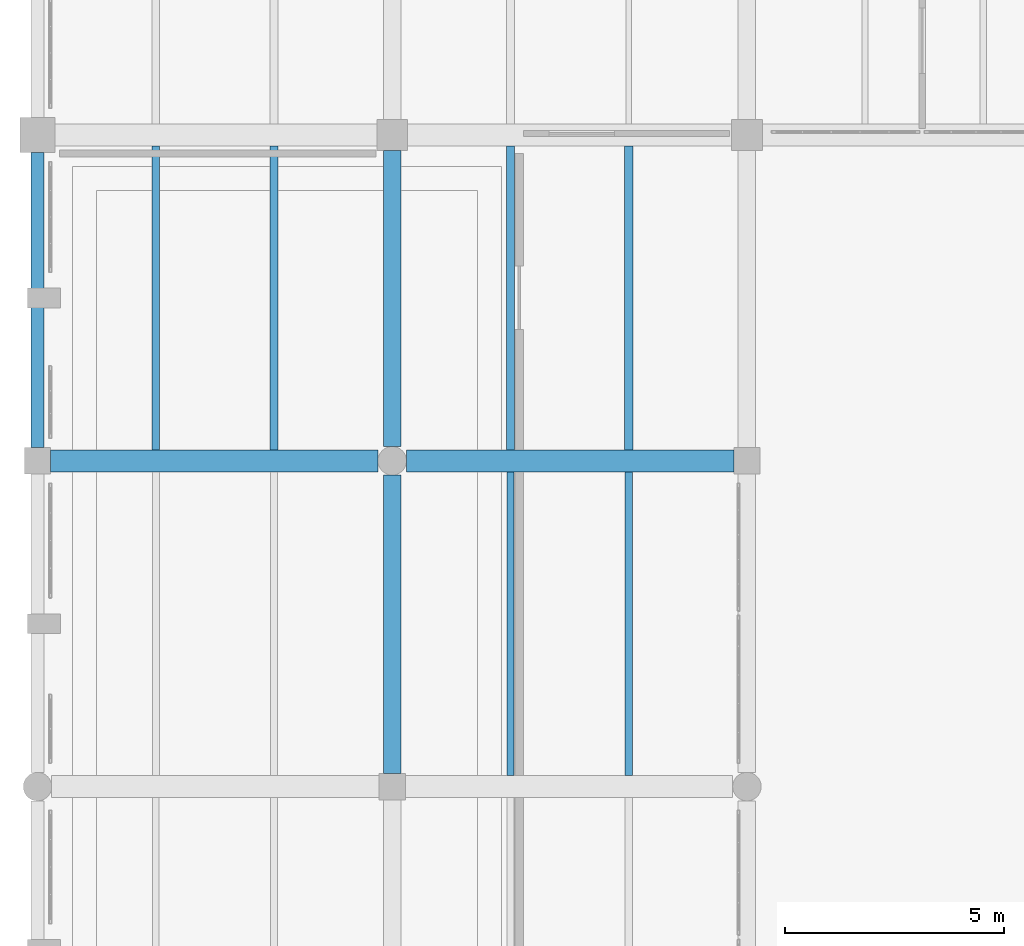
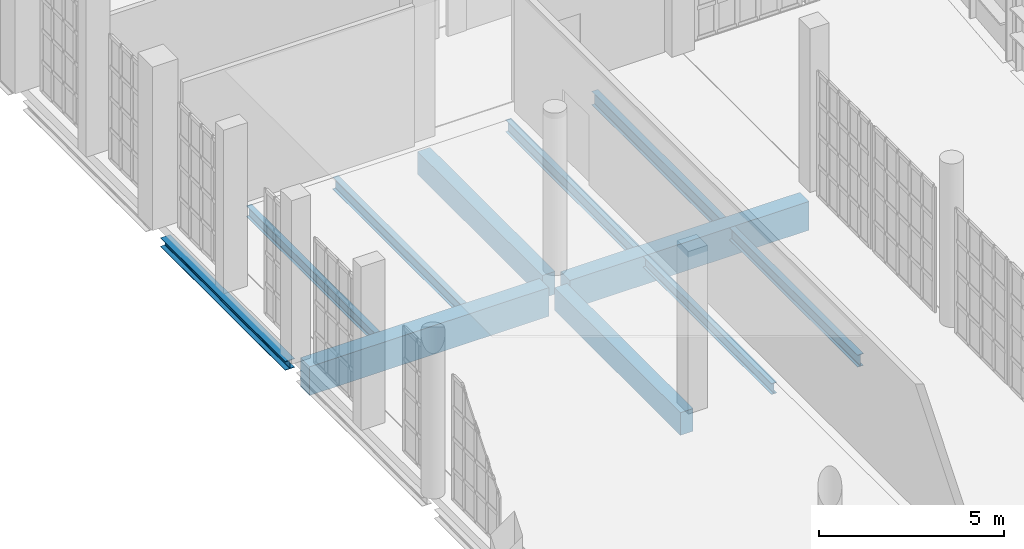
# One storey, part 85 of 372: 11 beams.
"""IFC4 building model written with IfcOpenShell, lengths in metres."""

from ifc_helpers import new_model, si_unit, direction, frame, origin, origin_2d, place, context, subcontext, project, spatial, rectangle, i_section, extrude, material, material_profile, profile_set, type_object, element, save


model = new_model("IFC4")

# Units and contexts
model_context = context("Model", 3, precision=1e-05, world=origin(), true_north=direction((0.0, 1.0)))
body_context = subcontext(model_context, "Body", "Model", "MODEL_VIEW")
ifc_project = project(units=[si_unit("LENGTHUNIT", "METRE"), si_unit("AREAUNIT", "SQUARE_METRE"), si_unit("VOLUMEUNIT", "CUBIC_METRE"), si_unit("PLANEANGLEUNIT", "RADIAN"), si_unit("MASSUNIT", "GRAM", prefix="KILO")], contexts=[model_context])

# Site, building, storey
site_placement = place(None, origin())
site = spatial("IfcSite", under=ifc_project, at=site_placement, CompositionType="ELEMENT")
building_placement = place(site_placement, origin())
building = spatial("IfcBuilding", under=site, at=building_placement, Name="Kaelora Sail Theatre", CompositionType="ELEMENT")
storey_placement = place(building_placement, origin())
storey = spatial("IfcBuildingStorey", under=building, at=storey_placement, Name="L00", CompositionType="ELEMENT", Elevation=0.0)

# Beams
ifc_material_1 = material(Name="Steel S355", Category="steel")
ifc_material_profile_1 = material_profile(ifc_material_1, i_section(OverallWidth=0.18994140625, OverallDepth=0.449951171875, WebThickness=0.009521484375, FlangeThickness=0.0146484375, FilletRadius=0.02099609375, at=origin_2d()), Name="IPE 450")
ifc_profile_set_1 = profile_set([ifc_material_profile_1], Name="Steel S355")
beam_type_1 = type_object("IfcBeamType", Name="STR-BM-BM-IPE450", PredefinedType="BEAM", material=ifc_profile_set_1)
beam_1_placement = place(storey_placement, frame((15.0, 53.830078125, -0.544921875), z_axis=(0.0, 1.0, 0.0), x_axis=(-1.0, 0.0, 0.0)))
element("IfcBeam", 1, at=beam_1_placement, inside=storey, type_object=beam_type_1, Name="Secondary floor joist 2/H-2 (L00)", PredefinedType="BEAM", context=body_context, shape_type="SweptSolid", body=[
    extrude(i_section(OverallWidth=0.18994140625, OverallDepth=0.449951171875, WebThickness=0.009521484375, FlangeThickness=0.0146484375, FilletRadius=0.02099609375, at=origin_2d()), origin(), (0.0, 0.0, 1.0), 6.93994140625),
])
ifc_material_2 = material(Name="Concrete C40/50", Category="concrete")
ifc_material_profile_2 = material_profile(ifc_material_2, rectangle(XDim=0.39990234375, YDim=0.75, at=origin_2d()), Name="RC-BM 400x750")
ifc_profile_set_2 = profile_set([ifc_material_profile_2], Name="Concrete C40/50")
beam_type_2 = type_object("IfcBeamType", Name="STR-BM-BM-RC4075", PredefinedType="BEAM", material=ifc_profile_set_2)
beam_2_placement = place(storey_placement, frame((9.60009765625, 46.43994140625, -0.695068359375), z_axis=(0.0, 1.0, 0.0), x_axis=(-1.0, 0.0, 0.0)))
element("IfcBeam", 2, at=beam_2_placement, inside=storey, type_object=beam_type_2, Name="Primary beam 2 G-H (L00)", PredefinedType="BEAM", context=body_context, shape_type="SweptSolid", body=[
    extrude(rectangle(XDim=0.39990234375, YDim=0.75, at=origin_2d()), origin(), (0.0, 0.0, 1.0), 6.81494140625),
])
beam_3_placement = place(storey_placement, frame((9.60009765625, 53.905029296875, -0.695068359375), z_axis=(0.0, 1.0, 0.0), x_axis=(-1.0, 0.0, 0.0)))
element("IfcBeam", 3, at=beam_3_placement, inside=storey, type_object=beam_type_2, Name="Primary beam 2 H-I (L00)", PredefinedType="BEAM", context=body_context, shape_type="SweptSolid", body=[
    extrude(rectangle(XDim=0.39990234375, YDim=0.75, at=origin_2d()), origin(), (0.0, 0.0, 1.0), 6.764892578125),
])
ifc_material_3 = material(Name="Concrete C45/55", Category="concrete")
ifc_material_profile_3 = material_profile(ifc_material_3, rectangle(XDim=0.5, YDim=0.949951171875, at=origin_2d()), Name="RC-GRD 500x950")
ifc_profile_set_3 = profile_set([ifc_material_profile_3], Name="Concrete C45/55")
beam_type_3 = type_object("IfcBeamType", Name="STR-BM-GR-RC5095", PredefinedType="T_BEAM", material=ifc_profile_set_3)
for number, where, z_axis, x_axis, name in (
    (4, (1.800048828125, 53.580078125, -0.794921875), (1.0, 0.0, 0.0), (0.0, 1.0, 0.0), "Primary beam H 1-2 (L00)"),
    (5, (9.925048828125, 53.580078125, -0.794921875), (1.0, 0.0, 0.0), (0.0, 1.0, 0.0), "Primary beam H 2-3 (L00)"),
):
    element("IfcBeam", number, at=place(storey_placement, frame(where, z_axis=z_axis, x_axis=x_axis)), inside=storey, type_object=beam_type_3, Name=name, PredefinedType="T_BEAM", context=body_context, shape_type="SweptSolid", body=[
        extrude(rectangle(XDim=0.5, YDim=0.949951171875, at=origin_2d()), origin(), (0.0, 0.0, 1.0), 7.474853515625),
    ])
ifc_material_4 = material(Name="Steel S355", Category="steel")
ifc_material_profile_4 = material_profile(ifc_material_4, i_section(OverallWidth=0.169921875, OverallDepth=0.360107421875, WebThickness=0.008056640625, FlangeThickness=0.0126953125, FilletRadius=0.01806640625, at=origin_2d()), Name="IPE 360")
ifc_profile_set_4 = profile_set([ifc_material_profile_4], Name="Steel S355")
beam_type_4 = type_object("IfcBeamType", Name="STR-BM-JS-IPE360", PredefinedType="JOIST", material=ifc_profile_set_4)
beam_4_placement = place(storey_placement, frame((4.199951171875, 53.830078125, -0.5), z_axis=(0.0, 1.0, 0.0), x_axis=(-1.0, 0.0, 0.0)))
element("IfcBeam", 6, at=beam_4_placement, inside=storey, type_object=beam_type_4, Name="Secondary floor joist 1/H-1 (L00)", PredefinedType="JOIST", context=body_context, shape_type="SweptSolid", body=[
    extrude(i_section(OverallWidth=0.169921875, OverallDepth=0.360107421875, WebThickness=0.008056640625, FlangeThickness=0.0126953125, FilletRadius=0.01806640625, at=origin_2d()), origin(), (0.0, 0.0, 1.0), 6.93994140625),
])
beam_5_placement = place(storey_placement, frame((12.300048828125, 46.389892578125, -0.5), z_axis=(0.0, 1.0, 0.0), x_axis=(-1.0, 0.0, 0.0)))
element("IfcBeam", 7, at=beam_5_placement, inside=storey, type_object=beam_type_4, Name="Secondary floor joist 2/G-1 (L00)", PredefinedType="JOIST", context=body_context, shape_type="SweptSolid", body=[
    extrude(i_section(OverallWidth=0.169921875, OverallDepth=0.360107421875, WebThickness=0.008056640625, FlangeThickness=0.0126953125, FilletRadius=0.01806640625, at=origin_2d()), origin(), (0.0, 0.0, 1.0), 6.940185546875),
])
ifc_material_5 = material(Name="Steel S355", Category="steel")
ifc_material_profile_5 = material_profile(ifc_material_5, i_section(OverallWidth=0.179931640625, OverallDepth=0.39990234375, WebThickness=0.008544921875, FlangeThickness=0.013427734375, FilletRadius=0.02099609375, at=origin_2d()), Name="IPE 400")
ifc_profile_set_5 = profile_set([ifc_material_profile_5], Name="Steel S355")
beam_type_5 = type_object("IfcBeamType", Name="STR-BM-JS-IPE400", PredefinedType="JOIST", material=ifc_profile_set_5)
beam_6_placement = place(storey_placement, frame((6.89990234375, 53.830078125, -0.52001953125), z_axis=(0.0, 1.0, 0.0), x_axis=(-1.0, 0.0, 0.0)))
element("IfcBeam", 8, at=beam_6_placement, inside=storey, type_object=beam_type_5, Name="Secondary floor joist 1/H-2 (L00)", PredefinedType="JOIST", context=body_context, shape_type="SweptSolid", body=[
    extrude(i_section(OverallWidth=0.179931640625, OverallDepth=0.39990234375, WebThickness=0.008544921875, FlangeThickness=0.013427734375, FilletRadius=0.02099609375, at=origin_2d()), origin(), (0.0, 0.0, 1.0), 6.93994140625),
])
beam_7_placement = place(storey_placement, frame((15.0, 46.389892578125, -0.52001953125), z_axis=(0.0, 1.0, 0.0), x_axis=(-1.0, 0.0, 0.0)))
element("IfcBeam", 9, at=beam_7_placement, inside=storey, type_object=beam_type_5, Name="Secondary floor joist 2/G-2 (L00)", PredefinedType="JOIST", context=body_context, shape_type="SweptSolid", body=[
    extrude(i_section(OverallWidth=0.179931640625, OverallDepth=0.39990234375, WebThickness=0.008544921875, FlangeThickness=0.013427734375, FilletRadius=0.02099609375, at=origin_2d()), origin(), (0.0, 0.0, 1.0), 6.940185546875),
])
beam_8_placement = place(storey_placement, frame((12.300048828125, 53.830078125, -0.52001953125), z_axis=(0.0, 1.0, 0.0), x_axis=(-1.0, 0.0, 0.0)))
element("IfcBeam", 10, at=beam_8_placement, inside=storey, type_object=beam_type_5, Name="Secondary floor joist 2/H-1 (L00)", PredefinedType="JOIST", context=body_context, shape_type="SweptSolid", body=[
    extrude(i_section(OverallWidth=0.179931640625, OverallDepth=0.39990234375, WebThickness=0.008544921875, FlangeThickness=0.013427734375, FilletRadius=0.02099609375, at=origin_2d()), origin(), (0.0, 0.0, 1.0), 6.93994140625),
])
ifc_material_6 = material(Name="Steel S355", Category="steel")
ifc_material_profile_6 = material_profile(ifc_material_6, i_section(OverallWidth=0.300048828125, OverallDepth=0.300048828125, WebThickness=0.010986328125, FlangeThickness=0.01904296875, FilletRadius=0.027099609375, at=origin_2d()), Name="HEB 300")
ifc_profile_set_6 = profile_set([ifc_material_profile_6], Name="Steel S355")
beam_type_6 = type_object("IfcBeamType", Name="STR-BM-SP-HEB300", PredefinedType="SPANDREL", material=ifc_profile_set_6)
beam_9_placement = place(storey_placement, frame((1.5, 53.8798828125, -0.469970703125), z_axis=(0.0, 1.0, 0.0), x_axis=(-1.0, 0.0, 0.0)))
element("IfcBeam", 11, at=beam_9_placement, inside=storey, type_object=beam_type_6, Name="Primary beam 1 H-I (L00)", PredefinedType="SPANDREL", context=body_context, shape_type="SweptSolid", body=[
    extrude(i_section(OverallWidth=0.300048828125, OverallDepth=0.300048828125, WebThickness=0.010986328125, FlangeThickness=0.01904296875, FilletRadius=0.027099609375, at=origin_2d()), origin(), (0.0, 0.0, 1.0), 6.740234375),
])

save(model, "model.ifc")
